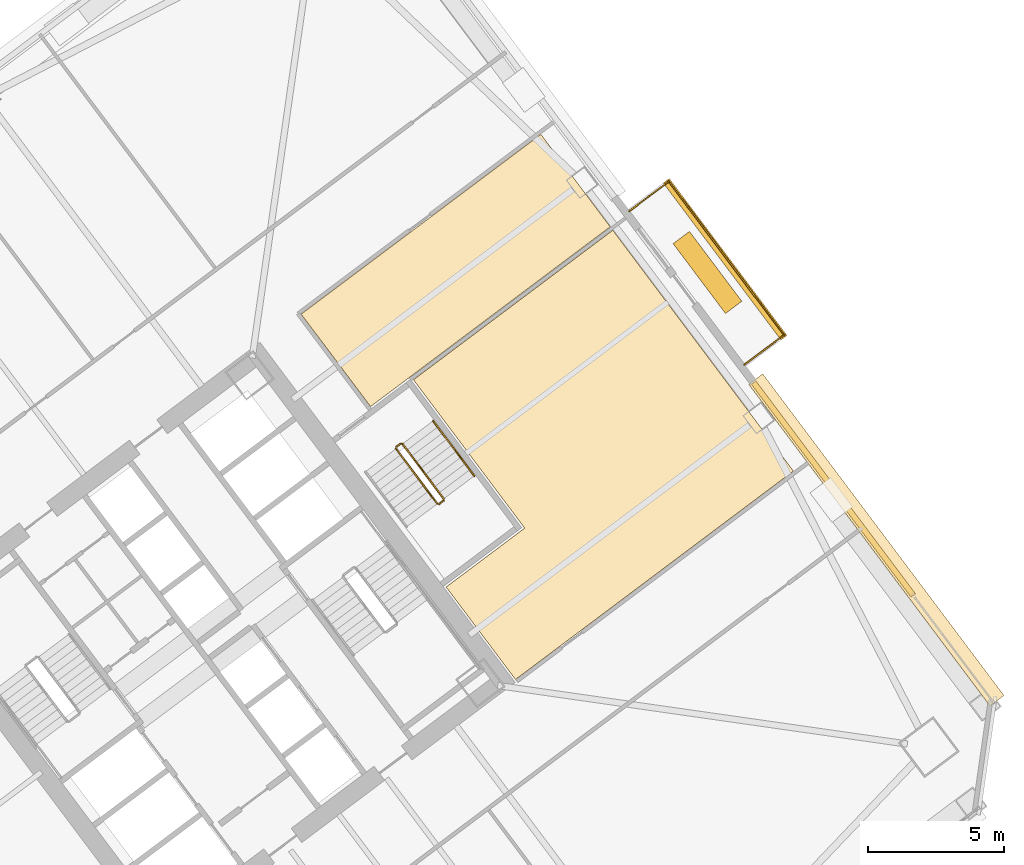
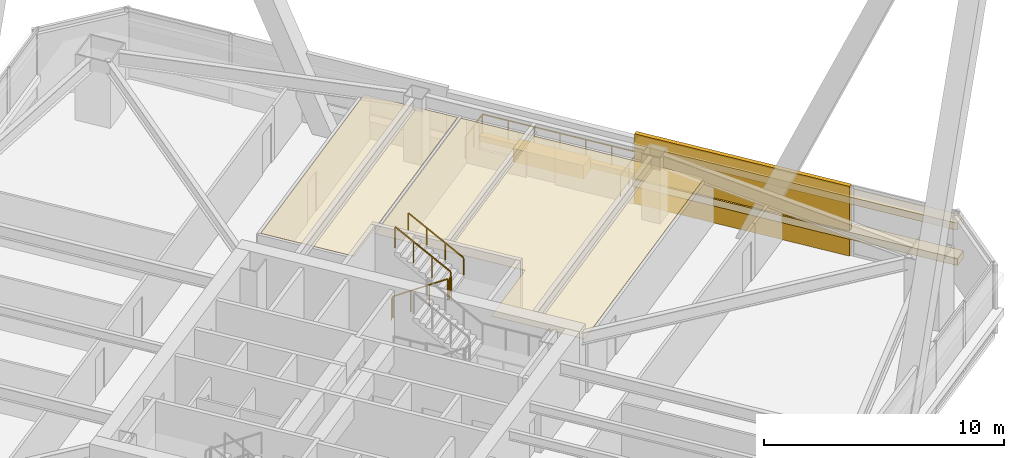
# One storey, part 74 of 75: 8 railings, 7 coverings.
"""IFC4 building model written with IfcOpenShell, lengths in metres."""

from ifc_helpers import new_model, si_unit, direction, frame, origin, origin_2d, place, context, subcontext, project, spatial, polyline, rectangle, outline, extrude, material, layer, layer_set, type_object, element, save


model = new_model("IFC4")

# Units and contexts
model_context = context("Model", 3, precision=1e-05, world=origin(), true_north=direction((0.0, 1.0)))
body_context = subcontext(model_context, "Body", "Model", "MODEL_VIEW")
ifc_project = project(units=[si_unit("LENGTHUNIT", "METRE"), si_unit("AREAUNIT", "SQUARE_METRE"), si_unit("VOLUMEUNIT", "CUBIC_METRE"), si_unit("PLANEANGLEUNIT", "RADIAN"), si_unit("MASSUNIT", "GRAM", prefix="KILO")], contexts=[model_context])

# Site, building, storey
site_placement = place(None, origin())
site = spatial("IfcSite", under=ifc_project, at=site_placement, CompositionType="ELEMENT")
building_placement = place(site_placement, origin())
building = spatial("IfcBuilding", under=site, at=building_placement, Name="Tashvorn Skyway Center", CompositionType="ELEMENT")
storey_placement = place(building_placement, frame((0.0, 0.0, 45.89990234375)))
storey = spatial("IfcBuildingStorey", under=building, at=storey_placement, Name="L11", CompositionType="ELEMENT", Elevation=45.89990234375)

# Coverings
ifc_material_1 = material(Name="Precast concrete C40/50", Category="concrete")
ifc_layer_1 = layer(ifc_material_1, 0.199951171875)
ifc_layer_set_1 = layer_set([ifc_layer_1], Name="Precast concrete C40/50")
covering_type_1 = type_object("IfcCoveringType", Name="COV-BRACE-CLAD", PredefinedType="CLADDING", material=ifc_layer_set_1)
covering_1_placement = place(storey_placement, frame((136.820068359375, 37.70654296875, 0.0), z_axis=(0.0, 0.0, 1.0), x_axis=(0.600000004945, -0.799999996291, 0.0)))
element("IfcCovering", 1, at=covering_1_placement, inside=storey, type_object=covering_type_1, Name="Tower 2 L11 East Curtain Wall R Mega-Brace Cladding Band 1", PredefinedType="CLADDING", context=body_context, shape_type="SweptSolid", body=[
    extrude(rectangle(XDim=9.75341796875, YDim=0.199951171875, at=origin_2d()), origin(), (0.0, 0.0, 1.0), 3.550048828125),
])
ifc_material_2 = material(Name="Mineral-fibre acoustic ceiling tile on suspended grid")
ifc_layer_2 = layer(ifc_material_2, 0.02001953125)
ifc_layer_set_2 = layer_set([ifc_layer_2], Name="Mineral-fibre acoustic ceiling tile on suspended grid")
covering_type_2 = type_object("IfcCoveringType", Name="COV-CEIL-20", PredefinedType="CEILING", material=ifc_layer_set_2)
covering_2_placement = place(storey_placement, frame((0.0, 0.0, 2.68310546875)))
element("IfcCovering", 2, at=covering_2_placement, inside=storey, type_object=covering_type_2, Name="Tower 2 L11 Research Library Acoustic Ceiling", PredefinedType="CEILING", context=body_context, shape_type="SweptSolid", body=[
    extrude(outline(polyline([(119.840087890625, 40.72998046875), (117.2958984375, 44.1220703125), (126.087890625, 50.716064453125), (128.632080078125, 47.323974609375), (119.840087890625, 40.72998046875)])), origin(), (0.0, 0.0, 1.0), 0.02001953125),
])
covering_3_placement = place(storey_placement, frame((0.0, 0.0, 2.68310546875)))
element("IfcCovering", 3, at=covering_3_placement, inside=storey, type_object=covering_type_2, Name="Tower 2 L11 Public Restroom Acoustic Ceiling", PredefinedType="CEILING", context=body_context, shape_type="SweptSolid", body=[
    extrude(outline(polyline([(125.159912109375, 30.719970703125), (122.615966796875, 34.112060546875), (125.49609375, 36.27197265625), (121.416015625, 41.7119140625), (128.72802734375, 47.196044921875), (132.80810546875, 41.756103515625), (135.35205078125, 38.364013671875), (125.159912109375, 30.719970703125)])), origin(), (0.0, 0.0, 1.0), 0.02001953125),
])
ifc_material_3 = material(Name="Perforated ceramic-coated bronze aluminium solar screen", Category="aluminium")
ifc_layer_3 = layer(ifc_material_3, 0.85009765625)
ifc_layer_set_3 = layer_set([ifc_layer_3], Name="Perforated ceramic-coated bronze aluminium solar screen")
covering_type_3 = type_object("IfcCoveringType", Name="COV-SOLAR-BAND", PredefinedType="CLADDING", material=ifc_layer_set_3)
for number, where, z_axis, x_axis, name in (
    (4, (138.39501953125, 35.840087890625, 0.919921875), (0.0, 0.0, 1.0), (0.600000004945, -0.799999996291, 0.0), "L11 Perforated Ceramic-Metal Solar Screen Louvre Band East 1"),
    (5, (138.39501953125, 35.840087890625, 2.72021484375), (0.0, 0.0, 1.0), (0.600000004945, -0.799999996291, 0.0), "L11 Perforated Ceramic-Metal Solar Screen Louvre Band East 2"),
):
    element("IfcCovering", number, at=place(storey_placement, frame(where, z_axis=z_axis, x_axis=x_axis)), inside=storey, type_object=covering_type_3, Name=name, PredefinedType="CLADDING", context=body_context, shape_type="SweptSolid", body=[
        extrude(rectangle(XDim=14.75, YDim=0.639892578125, at=origin_2d()), origin(), (0.0, 0.0, 1.0), 0.360107421875),
    ])
ifc_layer_4 = layer(ifc_material_1, 0.35009765625)
ifc_layer_set_4 = layer_set([ifc_layer_4], Name="Precast concrete C40/50")
covering_type_4 = type_object("IfcCoveringType", Name="COV-STONE-TRIM", PredefinedType="CLADDING", material=ifc_layer_set_4)
covering_4_placement = place(storey_placement, frame((132.847900390625, 46.135986328125, -0.16015625), z_axis=(0.0, 0.0, 1.0), x_axis=(0.600000004945, -0.799999996291, 0.0)))
element("IfcCovering", 6, at=covering_4_placement, inside=storey, type_object=covering_type_4, Name="Tower 2 L11 Spiral Terrace Terracotta Fascia", PredefinedType="CLADDING", context=body_context, shape_type="SweptSolid", body=[
    extrude(rectangle(XDim=7.199951171875, YDim=0.280029296875, at=origin_2d()), origin(), (0.0, 0.0, 1.0), 0.280029296875),
])
covering_5_placement = place(storey_placement, frame((132.199951171875, 45.64990234375, 0.0), z_axis=(0.0, 0.0, 1.0), x_axis=(0.600000004945, -0.799999996291, 0.0)))
element("IfcCovering", 7, at=covering_5_placement, inside=storey, type_object=covering_type_4, Name="Tower 2 L11 Spiral Terrace Planter", PredefinedType="CLADDING", context=body_context, shape_type="SweptSolid", body=[
    extrude(rectangle(XDim=3.199951171875, YDim=0.75, at=origin_2d()), origin(), (0.0, 0.0, 1.0), 0.679931640625),
])

# Railings
ifc_material_4 = material(Name="Galvanized steel S355", Category="steel")
railing_type_1 = type_object("IfcRailingType", Name="RAIL-GUARD-1120", PredefinedType="GUARDRAIL", material=ifc_material_4)
railing_1_placement = place(storey_placement, frame((133.552001953125, 42.263916015625, 0.0)))
element("IfcRailing", 8, at=railing_1_placement, inside=storey, type_object=railing_type_1, Name="L11 Tower 2 Terrace Guardrail 01", PredefinedType="GUARDRAIL", context=body_context, shape_type="SweptSolid", body=[
    extrude(rectangle(XDim=0.048095703125, YDim=0.048095703125, at=origin_2d()), frame((0.0, 0.0, 1.09619140625), z_axis=(0.8, 0.6, 0.0), x_axis=(-0.6, 0.8, 0.0)), (0.0, 0.0, 1.0), 1.820068359375),
    extrude(rectangle(XDim=0.0419921875, YDim=0.0419921875, at=origin_2d()), origin(), (0.0, 0.0, 1.0), 1.072021484375),
    extrude(rectangle(XDim=0.0419921875, YDim=0.0419921875, at=origin_2d()), frame((0.72802734375, 0.5458984375, 0.0)), (0.0, 0.0, 1.0), 1.072021484375),
    extrude(rectangle(XDim=0.0419921875, YDim=0.0419921875, at=origin_2d()), frame((1.4560546875, 1.092041015625, 0.0)), (0.0, 0.0, 1.0), 1.072021484375),
])
railing_2_placement = place(storey_placement, frame((135.008056640625, 43.35595703125, 0.0)))
element("IfcRailing", 9, at=railing_2_placement, inside=storey, type_object=railing_type_1, Name="L11 Tower 2 Terrace Guardrail 02", PredefinedType="GUARDRAIL", context=body_context, shape_type="SweptSolid", body=[
    extrude(rectangle(XDim=0.048095703125, YDim=0.048095703125, at=origin_2d()), frame((0.0, 0.0, 1.09619140625), z_axis=(-0.600005548528, 0.799995838574, 0.0), x_axis=(-0.799995838574, -0.600005548528, 0.0)), (0.0, 0.0, 1.0), 7.0400390625),
    extrude(rectangle(XDim=0.0419921875, YDim=0.0419921875, at=origin_2d()), origin(), (0.0, 0.0, 1.0), 1.072021484375),
    extrude(rectangle(XDim=0.0419921875, YDim=0.0419921875, at=origin_2d()), frame((-0.7041015625, 0.938720703125, 0.0)), (0.0, 0.0, 1.0), 1.072021484375),
    extrude(rectangle(XDim=0.0419921875, YDim=0.0419921875, at=origin_2d()), frame((-1.407958984375, 1.87744140625, 0.0)), (0.0, 0.0, 1.0), 1.072021484375),
    extrude(rectangle(XDim=0.0419921875, YDim=0.0419921875, at=origin_2d()), frame((-2.112060546875, 2.81591796875, 0.0)), (0.0, 0.0, 1.0), 1.072021484375),
    extrude(rectangle(XDim=0.0419921875, YDim=0.0419921875, at=origin_2d()), frame((-2.816162109375, 3.754638671875, 0.0)), (0.0, 0.0, 1.0), 1.072021484375),
    extrude(rectangle(XDim=0.0419921875, YDim=0.0419921875, at=origin_2d()), frame((-3.52001953125, 4.693359375, 0.0)), (0.0, 0.0, 1.0), 1.072021484375),
    extrude(rectangle(XDim=0.0419921875, YDim=0.0419921875, at=origin_2d()), frame((-4.22412109375, 5.632080078125, 0.0)), (0.0, 0.0, 1.0), 1.072021484375),
])
railing_3_placement = place(storey_placement, frame((130.783935546875, 48.988037109375, 0.0)))
element("IfcRailing", 10, at=railing_3_placement, inside=storey, type_object=railing_type_1, Name="L11 Tower 2 Terrace Guardrail 03", PredefinedType="GUARDRAIL", context=body_context, shape_type="SweptSolid", body=[
    extrude(rectangle(XDim=0.048095703125, YDim=0.048095703125, at=origin_2d()), frame((0.0, 0.0, 1.09619140625), z_axis=(-0.8, -0.6, 0.0), x_axis=(0.6, -0.8, 0.0)), (0.0, 0.0, 1.0), 1.820068359375),
    extrude(rectangle(XDim=0.0419921875, YDim=0.0419921875, at=origin_2d()), origin(), (0.0, 0.0, 1.0), 1.072021484375),
    extrude(rectangle(XDim=0.0419921875, YDim=0.0419921875, at=origin_2d()), frame((-0.72802734375, -0.5458984375, 0.0)), (0.0, 0.0, 1.0), 1.072021484375),
    extrude(rectangle(XDim=0.0419921875, YDim=0.0419921875, at=origin_2d()), frame((-1.4560546875, -1.092041015625, 0.0)), (0.0, 0.0, 1.0), 1.072021484375),
])
ifc_material_5 = material(Name="Brushed stainless steel 316", Category="steel")
railing_type_2 = type_object("IfcRailingType", Name="RAIL-HAND-920", PredefinedType="HANDRAIL", material=ifc_material_5)
railing_4_placement = place(storey_placement, frame((123.64794921875, 38.18603515625, 1.95263671875)))
element("IfcRailing", 11, at=railing_4_placement, inside=storey, type_object=railing_type_2, Name="L11 ST-T2-3 stair handrail 2", PredefinedType="HANDRAIL", context=body_context, shape_type="SweptSolid", body=[
    extrude(rectangle(XDim=0.048095703125, YDim=0.048095703125, at=origin_2d()), frame((0.0, 0.0, 0.8759765625), z_axis=(-0.506768818287, 0.675664481285, 0.535409071218), x_axis=(-0.79998837352, -0.60001550166, 0.0)), (0.0, 0.0, 1.0), 2.983642578125),
    extrude(rectangle(XDim=0.0419921875, YDim=0.0419921875, at=origin_2d()), origin(), (0.0, 0.0, 1.0), 0.851806640625),
    extrude(rectangle(XDim=0.0419921875, YDim=0.0419921875, at=origin_2d()), frame((-0.50390625, 0.671875, 0.532470703125)), (0.0, 0.0, 1.0), 0.851806640625),
    extrude(rectangle(XDim=0.0419921875, YDim=0.0419921875, at=origin_2d()), frame((-1.008056640625, 1.343994140625, 1.06494140625)), (0.0, 0.0, 1.0), 0.851806640625),
    extrude(rectangle(XDim=0.0419921875, YDim=0.0419921875, at=origin_2d()), frame((-1.511962890625, 2.015869140625, 1.597412109375)), (0.0, 0.0, 1.0), 0.851806640625),
])
ifc_material_6 = material(Name="Painted galvanized steel S355", Category="steel")
railing_type_3 = type_object("IfcRailingType", Name="RAIL-STGUARD-1100", PredefinedType="GUARDRAIL", material=ifc_material_6)
railing_5_placement = place(storey_placement, frame((120.77587890625, 39.181884765625, 0.177490234375)))
element("IfcRailing", 12, at=railing_5_placement, inside=storey, type_object=railing_type_3, Name="L11 ST-T2-3 stair guard 1", PredefinedType="GUARDRAIL", context=body_context, shape_type="SweptSolid", body=[
    extrude(rectangle(XDim=0.048095703125, YDim=0.048095703125, at=origin_2d()), frame((0.0, 0.0, 1.076171875), z_axis=(0.506807425148, -0.675606863004, 0.535445235739), x_axis=(0.799941867976, 0.600077501544, 0.0)), (0.0, 0.0, 1.0), 2.98388671875),
    extrude(rectangle(XDim=0.0419921875, YDim=0.0419921875, at=origin_2d()), origin(), (0.0, 0.0, 1.0), 1.052001953125),
    extrude(rectangle(XDim=0.0419921875, YDim=0.0419921875, at=origin_2d()), frame((0.504150390625, -0.671875, 0.532470703125)), (0.0, 0.0, 1.0), 1.052001953125),
    extrude(rectangle(XDim=0.0419921875, YDim=0.0419921875, at=origin_2d()), frame((1.008056640625, -1.343994140625, 1.065185546875)), (0.0, 0.0, 1.0), 1.052001953125),
    extrude(rectangle(XDim=0.0419921875, YDim=0.0419921875, at=origin_2d()), frame((1.51220703125, -2.015869140625, 1.59765625)), (0.0, 0.0, 1.0), 1.052001953125),
])
railing_6_placement = place(storey_placement, frame((122.35791015625, 37.156005859375, 1.775146484375)))
element("IfcRailing", 13, at=railing_6_placement, inside=storey, type_object=railing_type_3, Name="L11 ST-T2-3 stair guard 2", PredefinedType="GUARDRAIL", context=body_context, shape_type="SweptSolid", body=[
    extrude(rectangle(XDim=0.048095703125, YDim=0.048095703125, at=origin_2d()), frame((0.0, 0.0, 1.076171875), z_axis=(0.800585412921, 0.599218655098, 0.0), x_axis=(-0.599218655098, 0.800585412921, 0.0)), (0.0, 0.0, 1.0), 0.199951171875),
    extrude(rectangle(XDim=0.0419921875, YDim=0.0419921875, at=origin_2d()), origin(), (0.0, 0.0, 1.0), 1.052001953125),
    extrude(rectangle(XDim=0.0419921875, YDim=0.0419921875, at=origin_2d()), frame((0.16015625, 0.119873046875, 0.0)), (0.0, 0.0, 1.0), 1.052001953125),
])
railing_7_placement = place(storey_placement, frame((122.528076171875, 37.345947265625, 1.95263671875)))
element("IfcRailing", 14, at=railing_7_placement, inside=storey, type_object=railing_type_3, Name="L11 ST-T2-3 stair guard 3", PredefinedType="GUARDRAIL", context=body_context, shape_type="SweptSolid", body=[
    extrude(rectangle(XDim=0.048095703125, YDim=0.048095703125, at=origin_2d()), frame((0.0, 0.0, 1.076171875), z_axis=(-0.506740800098, 0.675708949977, 0.535379469569), x_axis=(-0.800023250257, -0.599968998406, 0.0)), (0.0, 0.0, 1.0), 2.983642578125),
    extrude(rectangle(XDim=0.0419921875, YDim=0.0419921875, at=origin_2d()), origin(), (0.0, 0.0, 1.0), 1.052001953125),
    extrude(rectangle(XDim=0.0419921875, YDim=0.0419921875, at=origin_2d()), frame((-0.50390625, 0.672119140625, 0.532470703125)), (0.0, 0.0, 1.0), 1.052001953125),
    extrude(rectangle(XDim=0.0419921875, YDim=0.0419921875, at=origin_2d()), frame((-1.008056640625, 1.343994140625, 1.06494140625)), (0.0, 0.0, 1.0), 1.052001953125),
    extrude(rectangle(XDim=0.0419921875, YDim=0.0419921875, at=origin_2d()), frame((-1.511962890625, 2.01611328125, 1.597412109375)), (0.0, 0.0, 1.0), 1.052001953125),
])
railing_8_placement = place(storey_placement, frame((120.785888671875, 39.251953125, 0.0)))
element("IfcRailing", 15, at=railing_8_placement, inside=storey, type_object=railing_type_3, Name="L11 ST-T2-3 stair guard 4", PredefinedType="GUARDRAIL", context=body_context, shape_type="SweptSolid", body=[
    extrude(rectangle(XDim=0.048095703125, YDim=0.048095703125, at=origin_2d()), frame((0.0, 0.0, 1.076171875), z_axis=(0.8, 0.6, 0.0), x_axis=(-0.6, 0.8, 0.0)), (0.0, 0.0, 1.0), 0.2001953125),
    extrude(rectangle(XDim=0.0419921875, YDim=0.0419921875, at=origin_2d()), origin(), (0.0, 0.0, 1.0), 1.052001953125),
    extrude(rectangle(XDim=0.0419921875, YDim=0.0419921875, at=origin_2d()), frame((0.16015625, 0.1201171875, 0.0)), (0.0, 0.0, 1.0), 1.052001953125),
])

save(model, "model.ifc")
